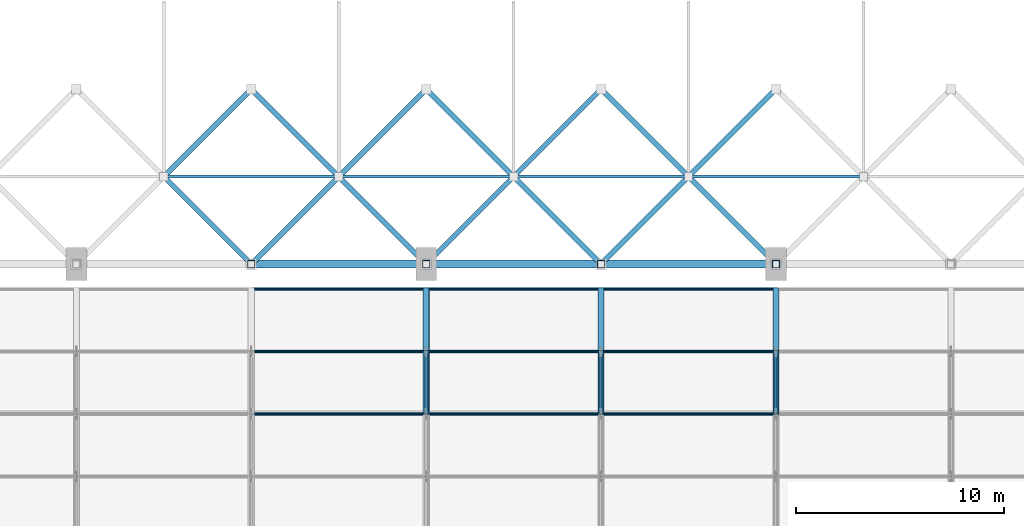
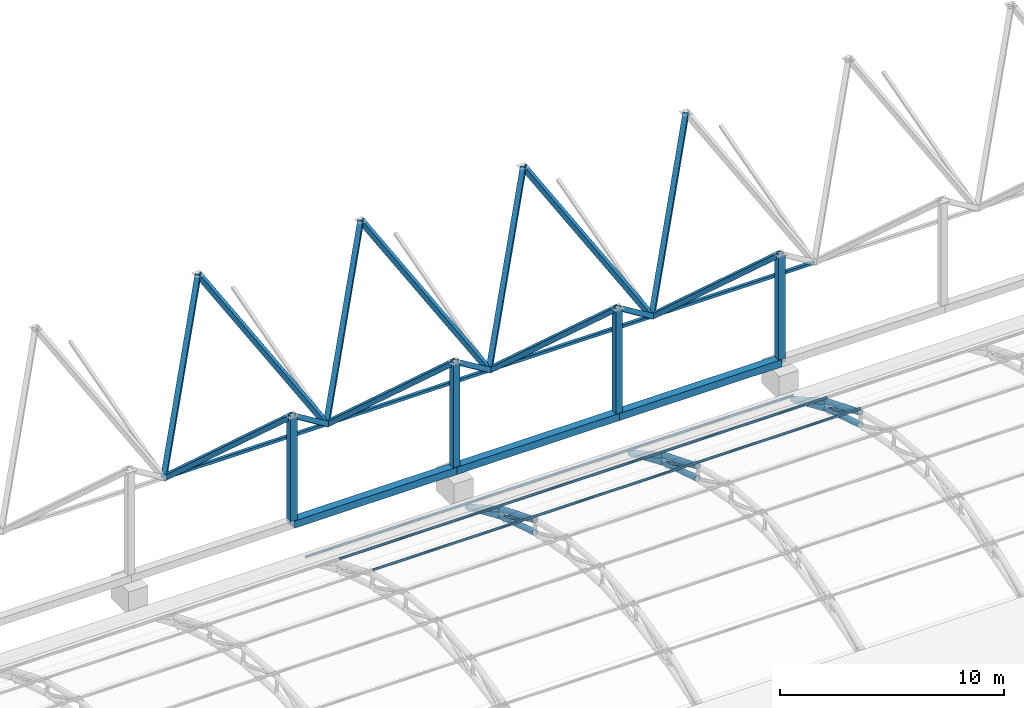
# One storey, part 20 of 163: 49 members.
"""IFC4 building model written with IfcOpenShell, lengths in metres."""

from ifc_helpers import new_model, si_unit, direction, frame, origin, origin_2d, place, context, subcontext, project, spatial, hollow_rectangle, hollow_circle, extrude, material, material_profile, profile_set, type_object, element, save


model = new_model("IFC4")

# Units and contexts
model_context = context("Model", 3, precision=1e-05, world=origin(), true_north=direction((0.0, 1.0)))
body_context = subcontext(model_context, "Body", "Model", "MODEL_VIEW")
ifc_project = project(units=[si_unit("LENGTHUNIT", "METRE"), si_unit("AREAUNIT", "SQUARE_METRE"), si_unit("VOLUMEUNIT", "CUBIC_METRE"), si_unit("PLANEANGLEUNIT", "RADIAN"), si_unit("MASSUNIT", "GRAM", prefix="KILO")], contexts=[model_context])

# Site, building, storey
site_placement = place(None, origin())
site = spatial("IfcSite", under=ifc_project, at=site_placement, CompositionType="ELEMENT")
building_placement = place(site_placement, origin())
building = spatial("IfcBuilding", under=site, at=building_placement, Name="Rain Tree Exposition and Congress Centre", CompositionType="ELEMENT")
storey_placement = place(building_placement, frame((0.0, 0.0, 10.5)))
storey = spatial("IfcBuildingStorey", under=building, at=storey_placement, Name="L02", CompositionType="ELEMENT", Elevation=10.5)

# Members
ifc_material_1 = material(Name="Steel S355J2H", Category="steel")
ifc_material_profile_1 = material_profile(ifc_material_1, hollow_circle(Radius=0.090087890625, WallThickness=0.008056640625, at=origin_2d()), Name="CHS 180x8")
ifc_profile_set_1 = profile_set([ifc_material_profile_1], Name="Steel S355J2H")
member_type_1 = type_object("IfcMemberType", Name="Steel brace member CHS 180x8", PredefinedType="BRACE", material=ifc_profile_set_1)
for number, where, z_axis, x_axis, name in (
    (1, (75.60009765625, 96.60009765625, 1.4423828125), (0.0, -0.880818418444, 0.473454236151), (1.0, 0.0, 0.0), "Roof truss 10 diagonal 6"),
    (2, (84.0, 96.60009765625, 1.4423828125), (0.0, -0.880818418444, 0.473454236151), (1.0, 0.0, 0.0), "Roof truss 11 diagonal 6"),
    (3, (92.39990234375, 96.60009765625, 1.4423828125), (0.0, -0.880818418444, 0.473454236151), (1.0, 0.0, 0.0), "Roof truss 12 diagonal 6"),
):
    element("IfcMember", number, at=place(storey_placement, frame(where, z_axis=z_axis, x_axis=x_axis)), inside=storey, type_object=member_type_1, Name=name, PredefinedType="BRACE", context=body_context, shape_type="SweptSolid", body=[
        extrude(hollow_circle(Radius=0.090087890625, WallThickness=0.008056640625, at=origin_2d()), origin(), (0.0, 0.0, 1.0), 3.406005859375),
    ])
ifc_material_2 = material(Name="Steel S355J2H", Category="steel")
ifc_material_profile_2 = material_profile(ifc_material_2, hollow_rectangle(XDim=0.25, YDim=0.25, WallThickness=0.006103515625, at=origin_2d()), Name="RHS 250x250x6")
ifc_profile_set_2 = profile_set([ifc_material_profile_2], Name="Steel S355J2H")
member_type_2 = type_object("IfcMemberType", Name="Steel brace member RHS 250x250x6", PredefinedType="BRACE", material=ifc_profile_set_2)
member_1_placement = place(storey_placement, frame((63.0, 105.0, 2.87353515625), z_axis=(0.564687142626, -0.564687142626, 0.601877779875), x_axis=(0.707106781187, 0.707106781187, 0.0)))
element("IfcMember", 4, at=member_1_placement, inside=storey, type_object=member_type_2, Name="Diagonal 400", PredefinedType="BRACE", context=body_context, shape_type="SweptSolid", body=[
    extrude(hollow_rectangle(XDim=0.25, YDim=0.25, WallThickness=0.006103515625, at=origin_2d()), origin(), (0.0, 0.0, 1.0), 7.437744140625),
])
member_2_placement = place(storey_placement, frame((63.0, 105.0, 2.87353515625), z_axis=(0.453966434812, 0.453966434812, 0.766700040517), x_axis=(-0.707106781187, 0.707106781187, 0.0)))
element("IfcMember", 5, at=member_2_placement, inside=storey, type_object=member_type_2, Name="Diagonal 402", PredefinedType="BRACE", context=body_context, shape_type="SweptSolid", body=[
    extrude(hollow_rectangle(XDim=0.25, YDim=0.25, WallThickness=0.006103515625, at=origin_2d()), origin(), (0.0, 0.0, 1.0), 9.251708984375),
])
for number, where, z_axis, x_axis, name in (
    (6, (71.39990234375, 105.0, 2.87353515625), (-0.564687142626, -0.564687142626, 0.601877779875), (0.707106781187, -0.707106781187, 0.0), "Diagonal 405"),
    (7, (71.39990234375, 105.0, 2.87353515625), (0.564709499992, -0.564676675678, 0.601866623567), (0.70708622964, 0.707127332136, 0.0), "Diagonal 406"),
):
    element("IfcMember", number, at=place(storey_placement, frame(where, z_axis=z_axis, x_axis=x_axis)), inside=storey, type_object=member_type_2, Name=name, PredefinedType="BRACE", context=body_context, shape_type="SweptSolid", body=[
        extrude(hollow_rectangle(XDim=0.25, YDim=0.25, WallThickness=0.006103515625, at=origin_2d()), origin(), (0.0, 0.0, 1.0), 7.437744140625),
    ])
for number, where, z_axis, x_axis, name in (
    (8, (71.39990234375, 105.0, 2.87353515625), (-0.453966434812, 0.453966434812, 0.766700040517), (-0.707106781187, -0.707106781187, 0.0), "Diagonal 407"),
    (9, (71.39990234375, 105.0, 2.87353515625), (0.453987384881, 0.453960996403, 0.766690855635), (-0.70708622964, 0.707127332136, 0.0), "Diagonal 408"),
):
    element("IfcMember", number, at=place(storey_placement, frame(where, z_axis=z_axis, x_axis=x_axis)), inside=storey, type_object=member_type_2, Name=name, PredefinedType="BRACE", context=body_context, shape_type="SweptSolid", body=[
        extrude(hollow_rectangle(XDim=0.25, YDim=0.25, WallThickness=0.006103515625, at=origin_2d()), origin(), (0.0, 0.0, 1.0), 9.251708984375),
    ])
for number, where, z_axis, x_axis, name in (
    (10, (79.800048828125, 105.0, 2.87353515625), (-0.564687142626, -0.564687142626, 0.601877779875), (0.707106781187, -0.707106781187, 0.0), "Diagonal 411"),
    (11, (79.800048828125, 105.0, 2.87353515625), (0.564687142626, -0.564687142626, 0.601877779875), (0.707106781187, 0.707106781187, 0.0), "Diagonal 412"),
):
    element("IfcMember", number, at=place(storey_placement, frame(where, z_axis=z_axis, x_axis=x_axis)), inside=storey, type_object=member_type_2, Name=name, PredefinedType="BRACE", context=body_context, shape_type="SweptSolid", body=[
        extrude(hollow_rectangle(XDim=0.25, YDim=0.25, WallThickness=0.006103515625, at=origin_2d()), origin(), (0.0, 0.0, 1.0), 7.437744140625),
    ])
for number, where, z_axis, x_axis, name in (
    (12, (79.800048828125, 105.0, 2.87353515625), (-0.453966434812, 0.453966434812, 0.766700040517), (-0.707106781187, -0.707106781187, 0.0), "Diagonal 413"),
    (13, (79.800048828125, 105.0, 2.87353515625), (0.453966434812, 0.453966434812, 0.766700040517), (-0.707106781187, 0.707106781187, 0.0), "Diagonal 414"),
):
    element("IfcMember", number, at=place(storey_placement, frame(where, z_axis=z_axis, x_axis=x_axis)), inside=storey, type_object=member_type_2, Name=name, PredefinedType="BRACE", context=body_context, shape_type="SweptSolid", body=[
        extrude(hollow_rectangle(XDim=0.25, YDim=0.25, WallThickness=0.006103515625, at=origin_2d()), origin(), (0.0, 0.0, 1.0), 9.251708984375),
    ])
for number, where, z_axis, x_axis, name in (
    (14, (88.199951171875, 105.0, 2.87353515625), (-0.564687142626, -0.564687142626, 0.601877779875), (0.707106781187, -0.707106781187, 0.0), "Diagonal 417"),
    (15, (88.199951171875, 105.0, 2.87353515625), (0.564687142626, -0.564687142626, 0.601877779875), (0.707106781187, 0.707106781187, 0.0), "Diagonal 418"),
):
    element("IfcMember", number, at=place(storey_placement, frame(where, z_axis=z_axis, x_axis=x_axis)), inside=storey, type_object=member_type_2, Name=name, PredefinedType="BRACE", context=body_context, shape_type="SweptSolid", body=[
        extrude(hollow_rectangle(XDim=0.25, YDim=0.25, WallThickness=0.006103515625, at=origin_2d()), origin(), (0.0, 0.0, 1.0), 7.437744140625),
    ])
for number, where, z_axis, x_axis, name in (
    (16, (88.199951171875, 105.0, 2.87353515625), (-0.453966434812, 0.453966434812, 0.766700040517), (-0.707106781187, -0.707106781187, 0.0), "Diagonal 419"),
    (17, (88.199951171875, 105.0, 2.87353515625), (0.453966434812, 0.453966434812, 0.766700040517), (-0.707106781187, 0.707106781187, 0.0), "Diagonal 420"),
):
    element("IfcMember", number, at=place(storey_placement, frame(where, z_axis=z_axis, x_axis=x_axis)), inside=storey, type_object=member_type_2, Name=name, PredefinedType="BRACE", context=body_context, shape_type="SweptSolid", body=[
        extrude(hollow_rectangle(XDim=0.25, YDim=0.25, WallThickness=0.006103515625, at=origin_2d()), origin(), (0.0, 0.0, 1.0), 9.251708984375),
    ])
ifc_material_3 = material(Name="Steel S355J2H", Category="steel")
ifc_material_profile_3 = material_profile(ifc_material_3, hollow_circle(Radius=0.14990234375, WallThickness=0.013916015625, at=origin_2d()), Name="CHS 300x14")
ifc_profile_set_3 = profile_set([ifc_material_profile_3], Name="Steel S355J2H")
member_type_3 = type_object("IfcMemberType", Name="Steel chord member CHS 300x14", PredefinedType="CHORD", material=ifc_profile_set_3)
member_3_placement = place(storey_placement, frame((75.60009765625, 93.60009765625, 3.054931640625), z_axis=(0.0, 0.926466577122, -0.376377046956), x_axis=(-1.0, 0.0, 0.0)))
element("IfcMember", 18, at=member_3_placement, inside=storey, type_object=member_type_3, Name="Roof truss 10 top chord 7", PredefinedType="CHORD", context=body_context, shape_type="SweptSolid", body=[
    extrude(hollow_circle(Radius=0.14990234375, WallThickness=0.013916015625, at=origin_2d()), origin(), (0.0, 0.0, 1.0), 3.238037109375),
])
member_4_placement = place(storey_placement, frame((75.60009765625, 93.60009765625, 2.3798828125), z_axis=(0.0, 0.954479978035, -0.298274993136), x_axis=(-1.0, 0.0, 0.0)))
element("IfcMember", 19, at=member_4_placement, inside=storey, type_object=member_type_3, Name="Roof truss 10 bottom chord 7", PredefinedType="CHORD", context=body_context, shape_type="SweptSolid", body=[
    extrude(hollow_circle(Radius=0.14990234375, WallThickness=0.013916015625, at=origin_2d()), origin(), (0.0, 0.0, 1.0), 3.14306640625),
])
member_5_placement = place(storey_placement, frame((75.60009765625, 96.60009765625, 1.836181640625), z_axis=(0.0, 0.869238262324, -0.494393409455), x_axis=(-1.0, 0.0, 0.0)))
element("IfcMember", 20, at=member_5_placement, inside=storey, type_object=member_type_3, Name="Roof truss 10 top chord 8", PredefinedType="CHORD", context=body_context, shape_type="SweptSolid", body=[
    extrude(hollow_circle(Radius=0.14990234375, WallThickness=0.013916015625, at=origin_2d()), origin(), (0.0, 0.0, 1.0), 3.451416015625),
])
member_6_placement = place(storey_placement, frame((75.60009765625, 96.60009765625, 1.4423828125), z_axis=(0.0, 0.916157334902, -0.40081883402), x_axis=(-1.0, 0.0, 0.0)))
element("IfcMember", 21, at=member_6_placement, inside=storey, type_object=member_type_3, Name="Roof truss 10 bottom chord 8", PredefinedType="CHORD", context=body_context, shape_type="SweptSolid", body=[
    extrude(hollow_circle(Radius=0.14990234375, WallThickness=0.013916015625, at=origin_2d()), origin(), (0.0, 0.0, 1.0), 3.274658203125),
])
member_7_placement = place(storey_placement, frame((84.0, 93.60009765625, 3.054931640625), z_axis=(0.0, 0.926466577122, -0.376377046956), x_axis=(-1.0, 0.0, 0.0)))
element("IfcMember", 22, at=member_7_placement, inside=storey, type_object=member_type_3, Name="Roof truss 11 top chord 7", PredefinedType="CHORD", context=body_context, shape_type="SweptSolid", body=[
    extrude(hollow_circle(Radius=0.14990234375, WallThickness=0.013916015625, at=origin_2d()), origin(), (0.0, 0.0, 1.0), 3.238037109375),
])
member_8_placement = place(storey_placement, frame((84.0, 93.60009765625, 2.3798828125), z_axis=(0.0, 0.954479978035, -0.298274993136), x_axis=(-1.0, 0.0, 0.0)))
element("IfcMember", 23, at=member_8_placement, inside=storey, type_object=member_type_3, Name="Roof truss 11 bottom chord 7", PredefinedType="CHORD", context=body_context, shape_type="SweptSolid", body=[
    extrude(hollow_circle(Radius=0.14990234375, WallThickness=0.013916015625, at=origin_2d()), origin(), (0.0, 0.0, 1.0), 3.14306640625),
])
member_9_placement = place(storey_placement, frame((84.0, 96.60009765625, 1.836181640625), z_axis=(0.0, 0.869238262324, -0.494393409455), x_axis=(-1.0, 0.0, 0.0)))
element("IfcMember", 24, at=member_9_placement, inside=storey, type_object=member_type_3, Name="Roof truss 11 top chord 8", PredefinedType="CHORD", context=body_context, shape_type="SweptSolid", body=[
    extrude(hollow_circle(Radius=0.14990234375, WallThickness=0.013916015625, at=origin_2d()), origin(), (0.0, 0.0, 1.0), 3.451416015625),
])
member_10_placement = place(storey_placement, frame((84.0, 96.60009765625, 1.4423828125), z_axis=(0.0, 0.916157334902, -0.40081883402), x_axis=(-1.0, 0.0, 0.0)))
element("IfcMember", 25, at=member_10_placement, inside=storey, type_object=member_type_3, Name="Roof truss 11 bottom chord 8", PredefinedType="CHORD", context=body_context, shape_type="SweptSolid", body=[
    extrude(hollow_circle(Radius=0.14990234375, WallThickness=0.013916015625, at=origin_2d()), origin(), (0.0, 0.0, 1.0), 3.274658203125),
])
member_11_placement = place(storey_placement, frame((92.39990234375, 93.60009765625, 3.054931640625), z_axis=(0.0, 0.926466577122, -0.376377046956), x_axis=(-1.0, 0.0, 0.0)))
element("IfcMember", 26, at=member_11_placement, inside=storey, type_object=member_type_3, Name="Roof truss 12 top chord 7", PredefinedType="CHORD", context=body_context, shape_type="SweptSolid", body=[
    extrude(hollow_circle(Radius=0.14990234375, WallThickness=0.013916015625, at=origin_2d()), origin(), (0.0, 0.0, 1.0), 3.238037109375),
])
member_12_placement = place(storey_placement, frame((92.39990234375, 93.60009765625, 2.3798828125), z_axis=(0.0, 0.954479978035, -0.298274993136), x_axis=(-1.0, 0.0, 0.0)))
element("IfcMember", 27, at=member_12_placement, inside=storey, type_object=member_type_3, Name="Roof truss 12 bottom chord 7", PredefinedType="CHORD", context=body_context, shape_type="SweptSolid", body=[
    extrude(hollow_circle(Radius=0.14990234375, WallThickness=0.013916015625, at=origin_2d()), origin(), (0.0, 0.0, 1.0), 3.14306640625),
])
member_13_placement = place(storey_placement, frame((92.39990234375, 96.60009765625, 1.836181640625), z_axis=(0.0, 0.869238262324, -0.494393409455), x_axis=(-1.0, 0.0, 0.0)))
element("IfcMember", 28, at=member_13_placement, inside=storey, type_object=member_type_3, Name="Roof truss 12 top chord 8", PredefinedType="CHORD", context=body_context, shape_type="SweptSolid", body=[
    extrude(hollow_circle(Radius=0.14990234375, WallThickness=0.013916015625, at=origin_2d()), origin(), (0.0, 0.0, 1.0), 3.451416015625),
])
member_14_placement = place(storey_placement, frame((92.39990234375, 96.60009765625, 1.4423828125), z_axis=(0.0, 0.916157334902, -0.40081883402), x_axis=(-1.0, 0.0, 0.0)))
element("IfcMember", 29, at=member_14_placement, inside=storey, type_object=member_type_3, Name="Roof truss 12 bottom chord 8", PredefinedType="CHORD", context=body_context, shape_type="SweptSolid", body=[
    extrude(hollow_circle(Radius=0.14990234375, WallThickness=0.013916015625, at=origin_2d()), origin(), (0.0, 0.0, 1.0), 3.274658203125),
])
ifc_material_4 = material(Name="Steel S355J2H", Category="steel")
ifc_material_profile_4 = material_profile(ifc_material_4, hollow_rectangle(XDim=0.14990234375, YDim=0.14990234375, WallThickness=0.00439453125, at=origin_2d()), Name="RHS 150x150x4.5")
ifc_profile_set_4 = profile_set([ifc_material_profile_4], Name="Steel S355J2H")
member_type_4 = type_object("IfcMemberType", Name="Steel chord member RHS 150x150x4.5", PredefinedType="CHORD", material=ifc_profile_set_4)
member_15_placement = place(storey_placement, frame((63.0, 105.0, 2.87353515625), z_axis=(1.0, 0.0, 0.0), x_axis=(0.0, 1.0, 0.0)))
element("IfcMember", 30, at=member_15_placement, inside=storey, type_object=member_type_4, Name="Bottom chord 403", PredefinedType="CHORD", context=body_context, shape_type="SweptSolid", body=[
    extrude(hollow_rectangle(XDim=0.14990234375, YDim=0.14990234375, WallThickness=0.00439453125, at=origin_2d()), origin(), (0.0, 0.0, 1.0), 8.39990234375),
])
member_16_placement = place(storey_placement, frame((71.39990234375, 105.0, 2.87353515625), z_axis=(1.0, 0.0, 0.0), x_axis=(0.0, 1.0, 0.0)))
element("IfcMember", 31, at=member_16_placement, inside=storey, type_object=member_type_4, Name="Bottom chord 409", PredefinedType="CHORD", context=body_context, shape_type="SweptSolid", body=[
    extrude(hollow_rectangle(XDim=0.14990234375, YDim=0.14990234375, WallThickness=0.00439453125, at=origin_2d()), origin(), (0.0, 0.0, 1.0), 8.400146484375),
])
member_17_placement = place(storey_placement, frame((79.800048828125, 105.0, 2.87353515625), z_axis=(1.0, 0.0, 0.0), x_axis=(0.0, 1.0, 0.0)))
element("IfcMember", 32, at=member_17_placement, inside=storey, type_object=member_type_4, Name="Bottom chord 415", PredefinedType="CHORD", context=body_context, shape_type="SweptSolid", body=[
    extrude(hollow_rectangle(XDim=0.14990234375, YDim=0.14990234375, WallThickness=0.00439453125, at=origin_2d()), origin(), (0.0, 0.0, 1.0), 8.39990234375),
])
member_18_placement = place(storey_placement, frame((88.199951171875, 105.0, 2.87353515625), z_axis=(1.0, 0.0, 0.0), x_axis=(0.0, 1.0, 0.0)))
element("IfcMember", 33, at=member_18_placement, inside=storey, type_object=member_type_4, Name="Bottom chord 421", PredefinedType="CHORD", context=body_context, shape_type="SweptSolid", body=[
    extrude(hollow_rectangle(XDim=0.14990234375, YDim=0.14990234375, WallThickness=0.00439453125, at=origin_2d()), origin(), (0.0, 0.0, 1.0), 8.400146484375),
])
ifc_material_5 = material(Name="Steel S355J2H", Category="steel")
ifc_material_profile_5 = material_profile(ifc_material_5, hollow_rectangle(XDim=0.39990234375, YDim=0.39990234375, WallThickness=0.011962890625, at=origin_2d()), Name="RHS 400x400x12")
ifc_profile_set_5 = profile_set([ifc_material_profile_5], Name="Steel S355J2H")
member_type_5 = type_object("IfcMemberType", Name="Steel chord member RHS 400x400x12", PredefinedType="CHORD", material=ifc_profile_set_5)
member_19_placement = place(storey_placement, frame((67.199951171875, 100.800048828125, 1.5), z_axis=(1.0, 0.0, 0.0), x_axis=(0.0, 1.0, 0.0)))
element("IfcMember", 34, at=member_19_placement, inside=storey, type_object=member_type_5, Name="Eaves chord 1352", PredefinedType="CHORD", context=body_context, shape_type="SweptSolid", body=[
    extrude(hollow_rectangle(XDim=0.39990234375, YDim=0.39990234375, WallThickness=0.011962890625, at=origin_2d()), origin(), (0.0, 0.0, 1.0), 8.400146484375),
])
for number, where, z_axis, x_axis, name in (
    (35, (75.60009765625, 100.800048828125, 1.5), (1.0, 0.0, 0.0), (0.0, 1.0, 0.0), "Eaves chord 1353"),
    (36, (84.0, 100.800048828125, 1.5), (1.0, 0.0, 0.0), (0.0, 1.0, 0.0), "Eaves chord 1354"),
):
    element("IfcMember", number, at=place(storey_placement, frame(where, z_axis=z_axis, x_axis=x_axis)), inside=storey, type_object=member_type_5, Name=name, PredefinedType="CHORD", context=body_context, shape_type="SweptSolid", body=[
        extrude(hollow_rectangle(XDim=0.39990234375, YDim=0.39990234375, WallThickness=0.011962890625, at=origin_2d()), origin(), (0.0, 0.0, 1.0), 8.39990234375),
    ])
ifc_material_6 = material(Name="Steel S355J2H", Category="steel")
ifc_material_profile_6 = material_profile(ifc_material_6, hollow_rectangle(XDim=0.35009765625, YDim=0.35009765625, WallThickness=0.009033203125, at=origin_2d()), Name="RHS 350x350x9")
ifc_profile_set_6 = profile_set([ifc_material_profile_6], Name="Steel S355J2H")
member_type_6 = type_object("IfcMemberType", Name="Steel post member RHS 350x350x9", PredefinedType="POST", material=ifc_profile_set_6)
for number, where, z_axis, x_axis, name in (
    (37, (67.199951171875, 100.800048828125, 1.5), (0.0, 0.0, 1.0), (1.0, 0.0, 0.0), "Eaves post 1366"),
    (38, (75.60009765625, 100.800048828125, 1.5), (0.0, 0.0, 1.0), (1.0, 0.0, 0.0), "Eaves post 1367"),
    (39, (84.0, 100.800048828125, 1.5), (0.0, 0.0, 1.0), (1.0, 0.0, 0.0), "Eaves post 1368"),
    (40, (92.39990234375, 100.800048828125, 1.5), (0.0, 0.0, 1.0), (1.0, 0.0, 0.0), "Eaves post 1369"),
):
    element("IfcMember", number, at=place(storey_placement, frame(where, z_axis=z_axis, x_axis=x_axis)), inside=storey, type_object=member_type_6, Name=name, PredefinedType="POST", context=body_context, shape_type="SweptSolid", body=[
        extrude(hollow_rectangle(XDim=0.35009765625, YDim=0.35009765625, WallThickness=0.009033203125, at=origin_2d()), origin(), (0.0, 0.0, 1.0), 5.85009765625),
    ])
ifc_material_7 = material(Name="Steel S355J2H", Category="steel")
ifc_material_profile_7 = material_profile(ifc_material_7, hollow_circle(Radius=0.070068359375, WallThickness=0.006103515625, at=origin_2d()), Name="CHS 140x6")
ifc_profile_set_7 = profile_set([ifc_material_profile_7], Name="Steel S355J2H")
member_type_7 = type_object("IfcMemberType", Name="Steel purlin member CHS 140x6", PredefinedType="PURLIN", material=ifc_profile_set_7)
member_20_placement = place(storey_placement, frame((67.199951171875, 93.60009765625, 3.27490234375), z_axis=(1.0, 0.0, 0.0), x_axis=(0.0, 1.0, 0.0)))
element("IfcMember", 41, at=member_20_placement, inside=storey, type_object=member_type_7, Name="Roof purlin 7.9", PredefinedType="PURLIN", context=body_context, shape_type="SweptSolid", body=[
    extrude(hollow_circle(Radius=0.070068359375, WallThickness=0.006103515625, at=origin_2d()), origin(), (0.0, 0.0, 1.0), 8.400146484375),
])
for number, where, z_axis, x_axis, name in (
    (42, (75.60009765625, 93.60009765625, 3.27490234375), (1.0, 0.0, 0.0), (0.0, 1.0, 0.0), "Roof purlin 7.10"),
    (43, (84.0, 93.60009765625, 3.27490234375), (1.0, 0.0, 0.0), (0.0, 1.0, 0.0), "Roof purlin 7.11"),
):
    element("IfcMember", number, at=place(storey_placement, frame(where, z_axis=z_axis, x_axis=x_axis)), inside=storey, type_object=member_type_7, Name=name, PredefinedType="PURLIN", context=body_context, shape_type="SweptSolid", body=[
        extrude(hollow_circle(Radius=0.070068359375, WallThickness=0.006103515625, at=origin_2d()), origin(), (0.0, 0.0, 1.0), 8.39990234375),
    ])
member_21_placement = place(storey_placement, frame((67.199951171875, 96.60009765625, 2.056396484375), z_axis=(1.0, 0.0, 0.0), x_axis=(0.0, 1.0, 0.0)))
element("IfcMember", 44, at=member_21_placement, inside=storey, type_object=member_type_7, Name="Roof purlin 8.9", PredefinedType="PURLIN", context=body_context, shape_type="SweptSolid", body=[
    extrude(hollow_circle(Radius=0.070068359375, WallThickness=0.006103515625, at=origin_2d()), origin(), (0.0, 0.0, 1.0), 8.400146484375),
])
for number, where, z_axis, x_axis, name in (
    (45, (75.60009765625, 96.60009765625, 2.056396484375), (1.0, 0.0, 0.0), (0.0, 1.0, 0.0), "Roof purlin 8.10"),
    (46, (84.0, 96.60009765625, 2.056396484375), (1.0, 0.0, 0.0), (0.0, 1.0, 0.0), "Roof purlin 8.11"),
):
    element("IfcMember", number, at=place(storey_placement, frame(where, z_axis=z_axis, x_axis=x_axis)), inside=storey, type_object=member_type_7, Name=name, PredefinedType="PURLIN", context=body_context, shape_type="SweptSolid", body=[
        extrude(hollow_circle(Radius=0.070068359375, WallThickness=0.006103515625, at=origin_2d()), origin(), (0.0, 0.0, 1.0), 8.39990234375),
    ])
member_22_placement = place(storey_placement, frame((67.199951171875, 99.60009765625, 0.35009765625), z_axis=(1.0, 0.0, 0.0), x_axis=(0.0, 1.0, 0.0)))
element("IfcMember", 47, at=member_22_placement, inside=storey, type_object=member_type_7, Name="Roof purlin 9.9", PredefinedType="PURLIN", context=body_context, shape_type="SweptSolid", body=[
    extrude(hollow_circle(Radius=0.070068359375, WallThickness=0.006103515625, at=origin_2d()), origin(), (0.0, 0.0, 1.0), 8.400146484375),
])
for number, where, z_axis, x_axis, name in (
    (48, (75.60009765625, 99.60009765625, 0.35009765625), (1.0, 0.0, 0.0), (0.0, 1.0, 0.0), "Roof purlin 9.10"),
    (49, (84.0, 99.60009765625, 0.35009765625), (1.0, 0.0, 0.0), (0.0, 1.0, 0.0), "Roof purlin 9.11"),
):
    element("IfcMember", number, at=place(storey_placement, frame(where, z_axis=z_axis, x_axis=x_axis)), inside=storey, type_object=member_type_7, Name=name, PredefinedType="PURLIN", context=body_context, shape_type="SweptSolid", body=[
        extrude(hollow_circle(Radius=0.070068359375, WallThickness=0.006103515625, at=origin_2d()), origin(), (0.0, 0.0, 1.0), 8.39990234375),
    ])

save(model, "model.ifc")
